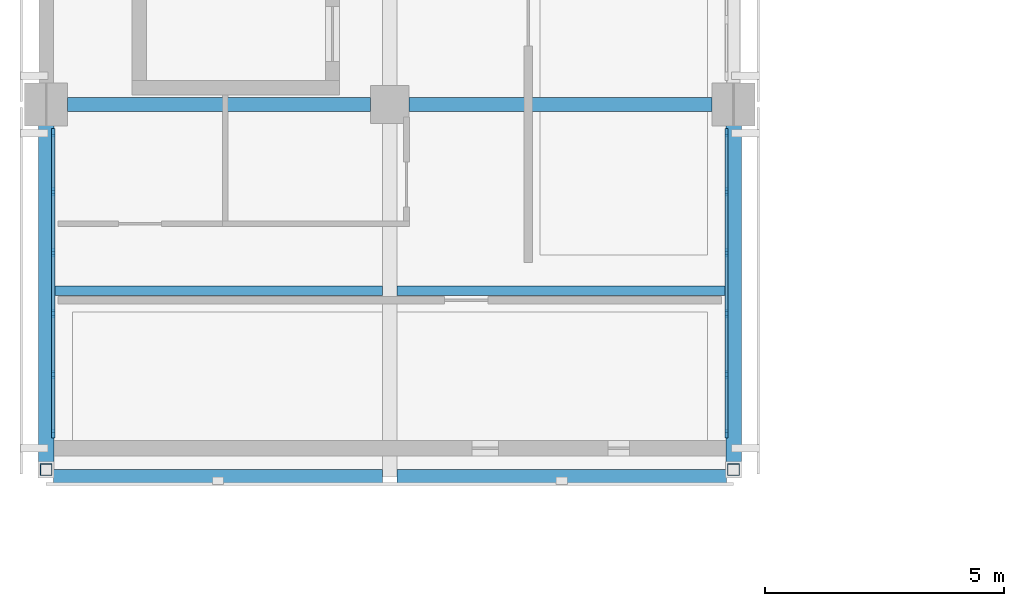
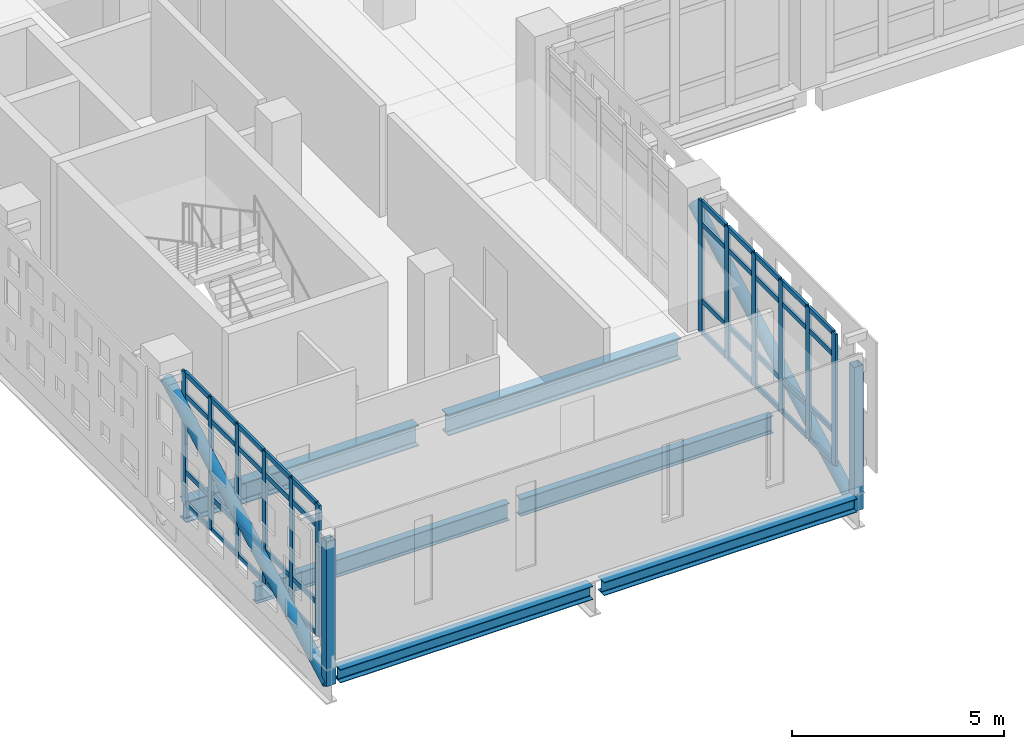
# One storey, part 4 of 57: 56 members, 6 beams, 2 elements without a shape of their own.
"""IFC4 building model written with IfcOpenShell, lengths in metres."""

from ifc_helpers import new_model, si_unit, direction, frame, origin, origin_2d, place, context, subcontext, project, spatial, rectangle, hollow_rectangle, hollow_circle, i_section, extrude, material, layer, layer_set, material_profile, profile_set, type_object, element, aggregate, save


model = new_model("IFC4")

# Units and contexts
model_context = context("Model", 3, precision=1e-05, world=origin(), true_north=direction((0.0, 1.0)))
body_context = subcontext(model_context, "Body", "Model", "MODEL_VIEW")
ifc_project = project(units=[si_unit("LENGTHUNIT", "METRE"), si_unit("AREAUNIT", "SQUARE_METRE"), si_unit("VOLUMEUNIT", "CUBIC_METRE"), si_unit("PLANEANGLEUNIT", "RADIAN"), si_unit("MASSUNIT", "GRAM", prefix="KILO")], contexts=[model_context])

# Site, building, storey
site_placement = place(None, origin())
site = spatial("IfcSite", under=ifc_project, at=site_placement, CompositionType="ELEMENT")
building_placement = place(site_placement, origin())
building = spatial("IfcBuilding", under=site, at=building_placement, Name="Valkovuoma Quantum and Materials Research Institute", CompositionType="ELEMENT")
storey_placement = place(building_placement, frame((0.0, 0.0, 4.800048828125)))
storey = spatial("IfcBuildingStorey", under=building, at=storey_placement, Name="L01", CompositionType="ELEMENT", Elevation=4.800048828125)

# Beams
ifc_material_1 = material(Name="Steel S355J2", Category="steel")
ifc_material_profile_1 = material_profile(ifc_material_1, i_section(OverallWidth=0.300048828125, OverallDepth=0.389892578125, WebThickness=0.010986328125, FlangeThickness=0.01904296875, FilletRadius=0.027099609375, at=origin_2d()), Name="Steel S355J2")
ifc_profile_set_1 = profile_set([ifc_material_profile_1], Name="Steel S355J2")
beam_type_1 = type_object("IfcBeamType", Name="Beam-B-HEA400", PredefinedType="SPANDREL", material=ifc_profile_set_1)
beam_1_placement = place(storey_placement, frame((0.14990234375, 21.0, -0.545166015625), z_axis=(1.0, 0.0, 0.0), x_axis=(0.0, 1.0, 0.0)))
element("IfcBeam", 1, at=beam_1_placement, inside=storey, type_object=beam_type_1, Name="L01 cantilever tip beam 1", PredefinedType="SPANDREL", context=body_context, shape_type="SweptSolid", body=[
    extrude(i_section(OverallWidth=0.300048828125, OverallDepth=0.389892578125, WebThickness=0.010986328125, FlangeThickness=0.01904296875, FilletRadius=0.027099609375, at=origin_2d()), origin(), (0.0, 0.0, 1.0), 6.900146484375),
])
beam_2_placement = place(storey_placement, frame((7.35009765625, 21.0, -0.545166015625), z_axis=(1.0, 0.0, 0.0), x_axis=(0.0, 1.0, 0.0)))
element("IfcBeam", 2, at=beam_2_placement, inside=storey, type_object=beam_type_1, Name="L01 cantilever tip beam 2", PredefinedType="SPANDREL", context=body_context, shape_type="SweptSolid", body=[
    extrude(i_section(OverallWidth=0.300048828125, OverallDepth=0.389892578125, WebThickness=0.010986328125, FlangeThickness=0.01904296875, FilletRadius=0.027099609375, at=origin_2d()), origin(), (0.0, 0.0, 1.0), 6.89990234375),
])
ifc_material_2 = material(Name="Steel S355J2", Category="steel")
ifc_material_profile_2 = material_profile(ifc_material_2, i_section(OverallWidth=0.300048828125, OverallDepth=0.60009765625, WebThickness=0.015380859375, FlangeThickness=0.030029296875, FilletRadius=0.027099609375, at=origin_2d()), Name="Steel S355J2")
ifc_profile_set_2 = profile_set([ifc_material_profile_2], Name="Steel S355J2")
beam_type_2 = type_object("IfcBeamType", Name="Beam-B-HEB600", PredefinedType="BEAM", material=ifc_profile_set_2)
beam_3_placement = place(storey_placement, frame((0.449951171875, 28.800048828125, -0.650146484375), z_axis=(1.0, 0.0, 0.0), x_axis=(0.0, 1.0, 0.0)))
element("IfcBeam", 3, at=beam_3_placement, inside=storey, type_object=beam_type_2, Name="L01 beam X-0556", PredefinedType="BEAM", context=body_context, shape_type="SweptSolid", body=[
    extrude(i_section(OverallWidth=0.300048828125, OverallDepth=0.60009765625, WebThickness=0.015380859375, FlangeThickness=0.030029296875, FilletRadius=0.027099609375, at=origin_2d()), origin(), (0.0, 0.0, 1.0), 6.35009765625),
])
beam_4_placement = place(storey_placement, frame((7.60009765625, 28.800048828125, -0.650146484375), z_axis=(1.0, 0.0, 0.0), x_axis=(0.0, 1.0, 0.0)))
element("IfcBeam", 4, at=beam_4_placement, inside=storey, type_object=beam_type_2, Name="L01 beam X-0557", PredefinedType="BEAM", context=body_context, shape_type="SweptSolid", body=[
    extrude(i_section(OverallWidth=0.300048828125, OverallDepth=0.60009765625, WebThickness=0.015380859375, FlangeThickness=0.030029296875, FilletRadius=0.027099609375, at=origin_2d()), origin(), (0.0, 0.0, 1.0), 6.349853515625),
])
ifc_material_3 = material(Name="Steel S355J2", Category="steel")
ifc_material_profile_3 = material_profile(ifc_material_3, i_section(OverallWidth=0.199951171875, OverallDepth=0.5, WebThickness=0.01025390625, FlangeThickness=0.01611328125, FilletRadius=0.02099609375, at=origin_2d()), Name="Steel S355J2")
ifc_profile_set_3 = profile_set([ifc_material_profile_3], Name="Steel S355J2")
beam_type_3 = type_object("IfcBeamType", Name="Beam-B-IPE500", PredefinedType="BEAM", material=ifc_profile_set_3)
beam_5_placement = place(storey_placement, frame((0.14990234375, 24.89990234375, -0.60009765625), z_axis=(1.0, 0.0, 0.0), x_axis=(0.0, 1.0, 0.0)))
element("IfcBeam", 5, at=beam_5_placement, inside=storey, type_object=beam_type_3, Name="L01 cantilever mid beam 1", PredefinedType="BEAM", context=body_context, shape_type="SweptSolid", body=[
    extrude(i_section(OverallWidth=0.199951171875, OverallDepth=0.5, WebThickness=0.01025390625, FlangeThickness=0.01611328125, FilletRadius=0.02099609375, at=origin_2d()), origin(), (0.0, 0.0, 1.0), 6.900146484375),
])
beam_6_placement = place(storey_placement, frame((7.35009765625, 24.89990234375, -0.60009765625), z_axis=(1.0, 0.0, 0.0), x_axis=(0.0, 1.0, 0.0)))
element("IfcBeam", 6, at=beam_6_placement, inside=storey, type_object=beam_type_3, Name="L01 cantilever mid beam 2", PredefinedType="BEAM", context=body_context, shape_type="SweptSolid", body=[
    extrude(i_section(OverallWidth=0.199951171875, OverallDepth=0.5, WebThickness=0.01025390625, FlangeThickness=0.01611328125, FilletRadius=0.02099609375, at=origin_2d()), origin(), (0.0, 0.0, 1.0), 6.89990234375),
])

# Curtain wall, members
ifc_material_4 = material(Name="Thermally broken aluminium and triple low-E glazing", Category="aluminium")
ifc_layer = layer(ifc_material_4, 0.219970703125)
ifc_layer_set = layer_set([ifc_layer], Name="Thermally broken aluminium and triple low-E glazing")
curtain_wall_type = type_object("IfcCurtainWallType", Name="CW-CW-01", PredefinedType="NOTDEFINED", material=ifc_layer_set)
curtain_wall_1_placement = place(storey_placement, origin())
curtain_wall_1 = element("IfcCurtainWall", 7, at=curtain_wall_1_placement, inside=storey, type_object=curtain_wall_type, Name="L01 curtain wall 008", PredefinedType="NOTDEFINED")
ifc_material_5 = material(Name="Anodised aluminium 6060-T66", Category="aluminium")
ifc_material_profile_4 = material_profile(ifc_material_5, rectangle(XDim=0.06494140625, YDim=0.179931640625, at=origin_2d()), Name="Anodised aluminium 6060-T66")
ifc_profile_set_4 = profile_set([ifc_material_profile_4], Name="Anodised aluminium 6060-T66")
member_type_1 = type_object("IfcMemberType", Name="CWMull-CWM-01", PredefinedType="MULLION", material=ifc_profile_set_4)
member_1_placement = place(storey_placement, frame((0.14990234375, 21.900390625, 0.0), z_axis=(0.0, 0.0, 1.0), x_axis=(-1.0, 0.0, 0.0)))
member_1 = element("IfcMember", 8, at=member_1_placement, type_object=member_type_1, Name="CW-01 mullion 1", PredefinedType="MULLION", context=body_context, shape_type="SweptSolid", body=[
    extrude(rectangle(XDim=0.06494140625, YDim=0.179931640625, at=origin_2d()), origin(), (0.0, 0.0, 1.0), 3.81005859375),
])
member_2_placement = place(storey_placement, frame((0.14990234375, 23.142822265625, 0.0), z_axis=(0.0, 0.0, 1.0), x_axis=(-1.0, 0.0, 0.0)))
member_2 = element("IfcMember", 9, at=member_2_placement, type_object=member_type_1, Name="CW-01 mullion 2", PredefinedType="MULLION", context=body_context, shape_type="SweptSolid", body=[
    extrude(rectangle(XDim=0.06494140625, YDim=0.179931640625, at=origin_2d()), origin(), (0.0, 0.0, 1.0), 3.81005859375),
])
member_3_placement = place(storey_placement, frame((0.14990234375, 24.41796875, 0.0), z_axis=(0.0, 0.0, 1.0), x_axis=(-1.0, 0.0, 0.0)))
member_3 = element("IfcMember", 10, at=member_3_placement, type_object=member_type_1, Name="CW-01 mullion 3", PredefinedType="MULLION", context=body_context, shape_type="SweptSolid", body=[
    extrude(rectangle(XDim=0.06494140625, YDim=0.179931640625, at=origin_2d()), origin(), (0.0, 0.0, 1.0), 3.81005859375),
])
member_4_placement = place(storey_placement, frame((0.14990234375, 25.69287109375, 0.0), z_axis=(0.0, 0.0, 1.0), x_axis=(-1.0, 0.0, 0.0)))
member_4 = element("IfcMember", 11, at=member_4_placement, type_object=member_type_1, Name="CW-01 mullion 4", PredefinedType="MULLION", context=body_context, shape_type="SweptSolid", body=[
    extrude(rectangle(XDim=0.06494140625, YDim=0.179931640625, at=origin_2d()), origin(), (0.0, 0.0, 1.0), 3.81005859375),
])
member_5_placement = place(storey_placement, frame((0.14990234375, 26.968017578125, 0.0), z_axis=(0.0, 0.0, 1.0), x_axis=(-1.0, 0.0, 0.0)))
member_5 = element("IfcMember", 12, at=member_5_placement, type_object=member_type_1, Name="CW-01 mullion 5", PredefinedType="MULLION", context=body_context, shape_type="SweptSolid", body=[
    extrude(rectangle(XDim=0.06494140625, YDim=0.179931640625, at=origin_2d()), origin(), (0.0, 0.0, 1.0), 3.81005859375),
])
member_6_placement = place(storey_placement, frame((0.14990234375, 28.21044921875, 0.0), z_axis=(0.0, 0.0, 1.0), x_axis=(-1.0, 0.0, 0.0)))
member_6 = element("IfcMember", 13, at=member_6_placement, type_object=member_type_1, Name="CW-01 mullion 6", PredefinedType="MULLION", context=body_context, shape_type="SweptSolid", body=[
    extrude(rectangle(XDim=0.06494140625, YDim=0.179931640625, at=origin_2d()), origin(), (0.0, 0.0, 1.0), 3.81005859375),
])

curtain_wall_2_placement = place(storey_placement, origin())
curtain_wall_2 = element("IfcCurtainWall", 14, at=curtain_wall_2_placement, inside=storey, type_object=curtain_wall_type, Name="L01 curtain wall 009", PredefinedType="NOTDEFINED")
member_7_placement = place(storey_placement, frame((14.25, 21.900390625, 0.0), z_axis=(0.0, 0.0, 1.0), x_axis=(-1.0, 0.0, 0.0)))
member_7 = element("IfcMember", 15, at=member_7_placement, type_object=member_type_1, Name="CW-01 mullion 1", PredefinedType="MULLION", context=body_context, shape_type="SweptSolid", body=[
    extrude(rectangle(XDim=0.06494140625, YDim=0.179931640625, at=origin_2d()), origin(), (0.0, 0.0, 1.0), 3.81005859375),
])
member_8_placement = place(storey_placement, frame((14.25, 23.142822265625, 0.0), z_axis=(0.0, 0.0, 1.0), x_axis=(-1.0, 0.0, 0.0)))
member_8 = element("IfcMember", 16, at=member_8_placement, type_object=member_type_1, Name="CW-01 mullion 2", PredefinedType="MULLION", context=body_context, shape_type="SweptSolid", body=[
    extrude(rectangle(XDim=0.06494140625, YDim=0.179931640625, at=origin_2d()), origin(), (0.0, 0.0, 1.0), 3.81005859375),
])
member_9_placement = place(storey_placement, frame((14.25, 24.41796875, 0.0), z_axis=(0.0, 0.0, 1.0), x_axis=(-1.0, 0.0, 0.0)))
member_9 = element("IfcMember", 17, at=member_9_placement, type_object=member_type_1, Name="CW-01 mullion 3", PredefinedType="MULLION", context=body_context, shape_type="SweptSolid", body=[
    extrude(rectangle(XDim=0.06494140625, YDim=0.179931640625, at=origin_2d()), origin(), (0.0, 0.0, 1.0), 3.81005859375),
])
member_10_placement = place(storey_placement, frame((14.25, 25.69287109375, 0.0), z_axis=(0.0, 0.0, 1.0), x_axis=(-1.0, 0.0, 0.0)))
member_10 = element("IfcMember", 18, at=member_10_placement, type_object=member_type_1, Name="CW-01 mullion 4", PredefinedType="MULLION", context=body_context, shape_type="SweptSolid", body=[
    extrude(rectangle(XDim=0.06494140625, YDim=0.179931640625, at=origin_2d()), origin(), (0.0, 0.0, 1.0), 3.81005859375),
])
member_11_placement = place(storey_placement, frame((14.25, 26.968017578125, 0.0), z_axis=(0.0, 0.0, 1.0), x_axis=(-1.0, 0.0, 0.0)))
member_11 = element("IfcMember", 19, at=member_11_placement, type_object=member_type_1, Name="CW-01 mullion 5", PredefinedType="MULLION", context=body_context, shape_type="SweptSolid", body=[
    extrude(rectangle(XDim=0.06494140625, YDim=0.179931640625, at=origin_2d()), origin(), (0.0, 0.0, 1.0), 3.81005859375),
])
member_12_placement = place(storey_placement, frame((14.25, 28.21044921875, 0.0), z_axis=(0.0, 0.0, 1.0), x_axis=(-1.0, 0.0, 0.0)))
member_12 = element("IfcMember", 20, at=member_12_placement, type_object=member_type_1, Name="CW-01 mullion 6", PredefinedType="MULLION", context=body_context, shape_type="SweptSolid", body=[
    extrude(rectangle(XDim=0.06494140625, YDim=0.179931640625, at=origin_2d()), origin(), (0.0, 0.0, 1.0), 3.81005859375),
])

# Member
ifc_material_6 = material(Name="Anodised aluminium 6060-T66", Category="aluminium")
ifc_material_profile_5 = material_profile(ifc_material_6, rectangle(XDim=0.06494140625, YDim=0.139892578125, at=origin_2d()), Name="Anodised aluminium 6060-T66")
ifc_profile_set_5 = profile_set([ifc_material_profile_5], Name="Anodised aluminium 6060-T66")
member_type_2 = type_object("IfcMemberType", Name="CWTran-CWT-01", PredefinedType="USERDEFINED", material=ifc_profile_set_5)
member_13_placement = place(storey_placement, frame((0.14990234375, 21.932861328125, 0.032470703125), z_axis=(0.0, 1.0, 0.0), x_axis=(-1.0, 0.0, 0.0)))
member_13 = element("IfcMember", 21, at=member_13_placement, type_object=member_type_2, Name="CW-01 transom 1.1", ObjectType="TRANSOM", PredefinedType="USERDEFINED", context=body_context, shape_type="SweptSolid", body=[
    extrude(rectangle(XDim=0.06494140625, YDim=0.139892578125, at=origin_2d()), origin(), (0.0, 0.0, 1.0), 1.177490234375),
])

member_14_placement = place(storey_placement, frame((0.14990234375, 21.932861328125, 0.949951171875), z_axis=(0.0, 1.0, 0.0), x_axis=(-1.0, 0.0, 0.0)))
member_14 = element("IfcMember", 22, at=member_14_placement, type_object=member_type_2, Name="CW-01 transom 1.2", ObjectType="TRANSOM", PredefinedType="USERDEFINED", context=body_context, shape_type="SweptSolid", body=[
    extrude(rectangle(XDim=0.06494140625, YDim=0.139892578125, at=origin_2d()), origin(), (0.0, 0.0, 1.0), 1.177490234375),
])

member_15_placement = place(storey_placement, frame((0.14990234375, 21.932861328125, 3.159912109375), z_axis=(0.0, 1.0, 0.0), x_axis=(-1.0, 0.0, 0.0)))
member_15 = element("IfcMember", 23, at=member_15_placement, type_object=member_type_2, Name="CW-01 transom 1.3", ObjectType="TRANSOM", PredefinedType="USERDEFINED", context=body_context, shape_type="SweptSolid", body=[
    extrude(rectangle(XDim=0.06494140625, YDim=0.139892578125, at=origin_2d()), origin(), (0.0, 0.0, 1.0), 1.177490234375),
])

member_16_placement = place(storey_placement, frame((0.14990234375, 21.932861328125, 3.77734375), z_axis=(0.0, 1.0, 0.0), x_axis=(-1.0, 0.0, 0.0)))
member_16 = element("IfcMember", 24, at=member_16_placement, type_object=member_type_2, Name="CW-01 transom 1.4", ObjectType="TRANSOM", PredefinedType="USERDEFINED", context=body_context, shape_type="SweptSolid", body=[
    extrude(rectangle(XDim=0.06494140625, YDim=0.139892578125, at=origin_2d()), origin(), (0.0, 0.0, 1.0), 1.177490234375),
])

member_17_placement = place(storey_placement, frame((0.14990234375, 23.17529296875, 0.032470703125), z_axis=(0.0, 1.0, 0.0), x_axis=(-1.0, 0.0, 0.0)))
member_17 = element("IfcMember", 25, at=member_17_placement, type_object=member_type_2, Name="CW-01 transom 2.1", ObjectType="TRANSOM", PredefinedType="USERDEFINED", context=body_context, shape_type="SweptSolid", body=[
    extrude(rectangle(XDim=0.06494140625, YDim=0.139892578125, at=origin_2d()), origin(), (0.0, 0.0, 1.0), 1.210205078125),
])

member_18_placement = place(storey_placement, frame((0.14990234375, 23.17529296875, 0.949951171875), z_axis=(0.0, 1.0, 0.0), x_axis=(-1.0, 0.0, 0.0)))
member_18 = element("IfcMember", 26, at=member_18_placement, type_object=member_type_2, Name="CW-01 transom 2.2", ObjectType="TRANSOM", PredefinedType="USERDEFINED", context=body_context, shape_type="SweptSolid", body=[
    extrude(rectangle(XDim=0.06494140625, YDim=0.139892578125, at=origin_2d()), origin(), (0.0, 0.0, 1.0), 1.210205078125),
])

member_19_placement = place(storey_placement, frame((0.14990234375, 23.17529296875, 3.159912109375), z_axis=(0.0, 1.0, 0.0), x_axis=(-1.0, 0.0, 0.0)))
member_19 = element("IfcMember", 27, at=member_19_placement, type_object=member_type_2, Name="CW-01 transom 2.3", ObjectType="TRANSOM", PredefinedType="USERDEFINED", context=body_context, shape_type="SweptSolid", body=[
    extrude(rectangle(XDim=0.06494140625, YDim=0.139892578125, at=origin_2d()), origin(), (0.0, 0.0, 1.0), 1.210205078125),
])

member_20_placement = place(storey_placement, frame((0.14990234375, 23.17529296875, 3.77734375), z_axis=(0.0, 1.0, 0.0), x_axis=(-1.0, 0.0, 0.0)))
member_20 = element("IfcMember", 28, at=member_20_placement, type_object=member_type_2, Name="CW-01 transom 2.4", ObjectType="TRANSOM", PredefinedType="USERDEFINED", context=body_context, shape_type="SweptSolid", body=[
    extrude(rectangle(XDim=0.06494140625, YDim=0.139892578125, at=origin_2d()), origin(), (0.0, 0.0, 1.0), 1.210205078125),
])

member_21_placement = place(storey_placement, frame((0.14990234375, 24.450439453125, 0.032470703125), z_axis=(0.0, 1.0, 0.0), x_axis=(-1.0, 0.0, 0.0)))
member_21 = element("IfcMember", 29, at=member_21_placement, type_object=member_type_2, Name="CW-01 transom 3.1", ObjectType="TRANSOM", PredefinedType="USERDEFINED", context=body_context, shape_type="SweptSolid", body=[
    extrude(rectangle(XDim=0.06494140625, YDim=0.139892578125, at=origin_2d()), origin(), (0.0, 0.0, 1.0), 1.2099609375),
])

member_22_placement = place(storey_placement, frame((0.14990234375, 24.450439453125, 0.949951171875), z_axis=(0.0, 1.0, 0.0), x_axis=(-1.0, 0.0, 0.0)))
member_22 = element("IfcMember", 30, at=member_22_placement, type_object=member_type_2, Name="CW-01 transom 3.2", ObjectType="TRANSOM", PredefinedType="USERDEFINED", context=body_context, shape_type="SweptSolid", body=[
    extrude(rectangle(XDim=0.06494140625, YDim=0.139892578125, at=origin_2d()), origin(), (0.0, 0.0, 1.0), 1.2099609375),
])

member_23_placement = place(storey_placement, frame((0.14990234375, 24.450439453125, 3.159912109375), z_axis=(0.0, 1.0, 0.0), x_axis=(-1.0, 0.0, 0.0)))
member_23 = element("IfcMember", 31, at=member_23_placement, type_object=member_type_2, Name="CW-01 transom 3.3", ObjectType="TRANSOM", PredefinedType="USERDEFINED", context=body_context, shape_type="SweptSolid", body=[
    extrude(rectangle(XDim=0.06494140625, YDim=0.139892578125, at=origin_2d()), origin(), (0.0, 0.0, 1.0), 1.2099609375),
])

member_24_placement = place(storey_placement, frame((0.14990234375, 24.450439453125, 3.77734375), z_axis=(0.0, 1.0, 0.0), x_axis=(-1.0, 0.0, 0.0)))
member_24 = element("IfcMember", 32, at=member_24_placement, type_object=member_type_2, Name="CW-01 transom 3.4", ObjectType="TRANSOM", PredefinedType="USERDEFINED", context=body_context, shape_type="SweptSolid", body=[
    extrude(rectangle(XDim=0.06494140625, YDim=0.139892578125, at=origin_2d()), origin(), (0.0, 0.0, 1.0), 1.2099609375),
])

member_25_placement = place(storey_placement, frame((0.14990234375, 25.725341796875, 0.032470703125), z_axis=(0.0, 1.0, 0.0), x_axis=(-1.0, 0.0, 0.0)))
member_25 = element("IfcMember", 33, at=member_25_placement, type_object=member_type_2, Name="CW-01 transom 4.1", ObjectType="TRANSOM", PredefinedType="USERDEFINED", context=body_context, shape_type="SweptSolid", body=[
    extrude(rectangle(XDim=0.06494140625, YDim=0.139892578125, at=origin_2d()), origin(), (0.0, 0.0, 1.0), 1.2099609375),
])

member_26_placement = place(storey_placement, frame((0.14990234375, 25.725341796875, 0.949951171875), z_axis=(0.0, 1.0, 0.0), x_axis=(-1.0, 0.0, 0.0)))
member_26 = element("IfcMember", 34, at=member_26_placement, type_object=member_type_2, Name="CW-01 transom 4.2", ObjectType="TRANSOM", PredefinedType="USERDEFINED", context=body_context, shape_type="SweptSolid", body=[
    extrude(rectangle(XDim=0.06494140625, YDim=0.139892578125, at=origin_2d()), origin(), (0.0, 0.0, 1.0), 1.2099609375),
])

member_27_placement = place(storey_placement, frame((0.14990234375, 25.725341796875, 3.159912109375), z_axis=(0.0, 1.0, 0.0), x_axis=(-1.0, 0.0, 0.0)))
member_27 = element("IfcMember", 35, at=member_27_placement, type_object=member_type_2, Name="CW-01 transom 4.3", ObjectType="TRANSOM", PredefinedType="USERDEFINED", context=body_context, shape_type="SweptSolid", body=[
    extrude(rectangle(XDim=0.06494140625, YDim=0.139892578125, at=origin_2d()), origin(), (0.0, 0.0, 1.0), 1.2099609375),
])

member_28_placement = place(storey_placement, frame((0.14990234375, 25.725341796875, 3.77734375), z_axis=(0.0, 1.0, 0.0), x_axis=(-1.0, 0.0, 0.0)))
member_28 = element("IfcMember", 36, at=member_28_placement, type_object=member_type_2, Name="CW-01 transom 4.4", ObjectType="TRANSOM", PredefinedType="USERDEFINED", context=body_context, shape_type="SweptSolid", body=[
    extrude(rectangle(XDim=0.06494140625, YDim=0.139892578125, at=origin_2d()), origin(), (0.0, 0.0, 1.0), 1.2099609375),
])

member_29_placement = place(storey_placement, frame((0.14990234375, 27.00048828125, 0.032470703125), z_axis=(0.0, 1.0, 0.0), x_axis=(-1.0, 0.0, 0.0)))
member_29 = element("IfcMember", 37, at=member_29_placement, type_object=member_type_2, Name="CW-01 transom 5.1", ObjectType="TRANSOM", PredefinedType="USERDEFINED", context=body_context, shape_type="SweptSolid", body=[
    extrude(rectangle(XDim=0.06494140625, YDim=0.139892578125, at=origin_2d()), origin(), (0.0, 0.0, 1.0), 1.177490234375),
])

member_30_placement = place(storey_placement, frame((0.14990234375, 27.00048828125, 0.949951171875), z_axis=(0.0, 1.0, 0.0), x_axis=(-1.0, 0.0, 0.0)))
member_30 = element("IfcMember", 38, at=member_30_placement, type_object=member_type_2, Name="CW-01 transom 5.2", ObjectType="TRANSOM", PredefinedType="USERDEFINED", context=body_context, shape_type="SweptSolid", body=[
    extrude(rectangle(XDim=0.06494140625, YDim=0.139892578125, at=origin_2d()), origin(), (0.0, 0.0, 1.0), 1.177490234375),
])

member_31_placement = place(storey_placement, frame((0.14990234375, 27.00048828125, 3.159912109375), z_axis=(0.0, 1.0, 0.0), x_axis=(-1.0, 0.0, 0.0)))
member_31 = element("IfcMember", 39, at=member_31_placement, type_object=member_type_2, Name="CW-01 transom 5.3", ObjectType="TRANSOM", PredefinedType="USERDEFINED", context=body_context, shape_type="SweptSolid", body=[
    extrude(rectangle(XDim=0.06494140625, YDim=0.139892578125, at=origin_2d()), origin(), (0.0, 0.0, 1.0), 1.177490234375),
])

member_32_placement = place(storey_placement, frame((0.14990234375, 27.00048828125, 3.77734375), z_axis=(0.0, 1.0, 0.0), x_axis=(-1.0, 0.0, 0.0)))
member_32 = element("IfcMember", 40, at=member_32_placement, type_object=member_type_2, Name="CW-01 transom 5.4", ObjectType="TRANSOM", PredefinedType="USERDEFINED", context=body_context, shape_type="SweptSolid", body=[
    extrude(rectangle(XDim=0.06494140625, YDim=0.139892578125, at=origin_2d()), origin(), (0.0, 0.0, 1.0), 1.177490234375),
])

aggregate(curtain_wall_1, [member_1, member_2, member_3, member_4, member_5, member_6, member_13, member_14, member_15, member_16, member_17, member_18, member_19, member_20, member_21, member_22, member_23, member_24, member_25, member_26, member_27, member_28, member_29, member_30, member_31, member_32])

member_33_placement = place(storey_placement, frame((14.25, 21.932861328125, 0.032470703125), z_axis=(0.0, 1.0, 0.0), x_axis=(-1.0, 0.0, 0.0)))
member_33 = element("IfcMember", 41, at=member_33_placement, type_object=member_type_2, Name="CW-01 transom 1.1", ObjectType="TRANSOM", PredefinedType="USERDEFINED", context=body_context, shape_type="SweptSolid", body=[
    extrude(rectangle(XDim=0.06494140625, YDim=0.139892578125, at=origin_2d()), origin(), (0.0, 0.0, 1.0), 1.177490234375),
])

member_34_placement = place(storey_placement, frame((14.25, 21.932861328125, 0.949951171875), z_axis=(0.0, 1.0, 0.0), x_axis=(-1.0, 0.0, 0.0)))
member_34 = element("IfcMember", 42, at=member_34_placement, type_object=member_type_2, Name="CW-01 transom 1.2", ObjectType="TRANSOM", PredefinedType="USERDEFINED", context=body_context, shape_type="SweptSolid", body=[
    extrude(rectangle(XDim=0.06494140625, YDim=0.139892578125, at=origin_2d()), origin(), (0.0, 0.0, 1.0), 1.177490234375),
])

member_35_placement = place(storey_placement, frame((14.25, 21.932861328125, 3.159912109375), z_axis=(0.0, 1.0, 0.0), x_axis=(-1.0, 0.0, 0.0)))
member_35 = element("IfcMember", 43, at=member_35_placement, type_object=member_type_2, Name="CW-01 transom 1.3", ObjectType="TRANSOM", PredefinedType="USERDEFINED", context=body_context, shape_type="SweptSolid", body=[
    extrude(rectangle(XDim=0.06494140625, YDim=0.139892578125, at=origin_2d()), origin(), (0.0, 0.0, 1.0), 1.177490234375),
])

member_36_placement = place(storey_placement, frame((14.25, 21.932861328125, 3.77734375), z_axis=(0.0, 1.0, 0.0), x_axis=(-1.0, 0.0, 0.0)))
member_36 = element("IfcMember", 44, at=member_36_placement, type_object=member_type_2, Name="CW-01 transom 1.4", ObjectType="TRANSOM", PredefinedType="USERDEFINED", context=body_context, shape_type="SweptSolid", body=[
    extrude(rectangle(XDim=0.06494140625, YDim=0.139892578125, at=origin_2d()), origin(), (0.0, 0.0, 1.0), 1.177490234375),
])

member_37_placement = place(storey_placement, frame((14.25, 23.17529296875, 0.032470703125), z_axis=(0.0, 1.0, 0.0), x_axis=(-1.0, 0.0, 0.0)))
member_37 = element("IfcMember", 45, at=member_37_placement, type_object=member_type_2, Name="CW-01 transom 2.1", ObjectType="TRANSOM", PredefinedType="USERDEFINED", context=body_context, shape_type="SweptSolid", body=[
    extrude(rectangle(XDim=0.06494140625, YDim=0.139892578125, at=origin_2d()), origin(), (0.0, 0.0, 1.0), 1.210205078125),
])

member_38_placement = place(storey_placement, frame((14.25, 23.17529296875, 0.949951171875), z_axis=(0.0, 1.0, 0.0), x_axis=(-1.0, 0.0, 0.0)))
member_38 = element("IfcMember", 46, at=member_38_placement, type_object=member_type_2, Name="CW-01 transom 2.2", ObjectType="TRANSOM", PredefinedType="USERDEFINED", context=body_context, shape_type="SweptSolid", body=[
    extrude(rectangle(XDim=0.06494140625, YDim=0.139892578125, at=origin_2d()), origin(), (0.0, 0.0, 1.0), 1.210205078125),
])

member_39_placement = place(storey_placement, frame((14.25, 23.17529296875, 3.159912109375), z_axis=(0.0, 1.0, 0.0), x_axis=(-1.0, 0.0, 0.0)))
member_39 = element("IfcMember", 47, at=member_39_placement, type_object=member_type_2, Name="CW-01 transom 2.3", ObjectType="TRANSOM", PredefinedType="USERDEFINED", context=body_context, shape_type="SweptSolid", body=[
    extrude(rectangle(XDim=0.06494140625, YDim=0.139892578125, at=origin_2d()), origin(), (0.0, 0.0, 1.0), 1.210205078125),
])

member_40_placement = place(storey_placement, frame((14.25, 23.17529296875, 3.77734375), z_axis=(0.0, 1.0, 0.0), x_axis=(-1.0, 0.0, 0.0)))
member_40 = element("IfcMember", 48, at=member_40_placement, type_object=member_type_2, Name="CW-01 transom 2.4", ObjectType="TRANSOM", PredefinedType="USERDEFINED", context=body_context, shape_type="SweptSolid", body=[
    extrude(rectangle(XDim=0.06494140625, YDim=0.139892578125, at=origin_2d()), origin(), (0.0, 0.0, 1.0), 1.210205078125),
])

member_41_placement = place(storey_placement, frame((14.25, 24.450439453125, 0.032470703125), z_axis=(0.0, 1.0, 0.0), x_axis=(-1.0, 0.0, 0.0)))
member_41 = element("IfcMember", 49, at=member_41_placement, type_object=member_type_2, Name="CW-01 transom 3.1", ObjectType="TRANSOM", PredefinedType="USERDEFINED", context=body_context, shape_type="SweptSolid", body=[
    extrude(rectangle(XDim=0.06494140625, YDim=0.139892578125, at=origin_2d()), origin(), (0.0, 0.0, 1.0), 1.2099609375),
])

member_42_placement = place(storey_placement, frame((14.25, 24.450439453125, 0.949951171875), z_axis=(0.0, 1.0, 0.0), x_axis=(-1.0, 0.0, 0.0)))
member_42 = element("IfcMember", 50, at=member_42_placement, type_object=member_type_2, Name="CW-01 transom 3.2", ObjectType="TRANSOM", PredefinedType="USERDEFINED", context=body_context, shape_type="SweptSolid", body=[
    extrude(rectangle(XDim=0.06494140625, YDim=0.139892578125, at=origin_2d()), origin(), (0.0, 0.0, 1.0), 1.2099609375),
])

member_43_placement = place(storey_placement, frame((14.25, 24.450439453125, 3.159912109375), z_axis=(0.0, 1.0, 0.0), x_axis=(-1.0, 0.0, 0.0)))
member_43 = element("IfcMember", 51, at=member_43_placement, type_object=member_type_2, Name="CW-01 transom 3.3", ObjectType="TRANSOM", PredefinedType="USERDEFINED", context=body_context, shape_type="SweptSolid", body=[
    extrude(rectangle(XDim=0.06494140625, YDim=0.139892578125, at=origin_2d()), origin(), (0.0, 0.0, 1.0), 1.2099609375),
])

member_44_placement = place(storey_placement, frame((14.25, 24.450439453125, 3.77734375), z_axis=(0.0, 1.0, 0.0), x_axis=(-1.0, 0.0, 0.0)))
member_44 = element("IfcMember", 52, at=member_44_placement, type_object=member_type_2, Name="CW-01 transom 3.4", ObjectType="TRANSOM", PredefinedType="USERDEFINED", context=body_context, shape_type="SweptSolid", body=[
    extrude(rectangle(XDim=0.06494140625, YDim=0.139892578125, at=origin_2d()), origin(), (0.0, 0.0, 1.0), 1.2099609375),
])

member_45_placement = place(storey_placement, frame((14.25, 25.725341796875, 0.032470703125), z_axis=(0.0, 1.0, 0.0), x_axis=(-1.0, 0.0, 0.0)))
member_45 = element("IfcMember", 53, at=member_45_placement, type_object=member_type_2, Name="CW-01 transom 4.1", ObjectType="TRANSOM", PredefinedType="USERDEFINED", context=body_context, shape_type="SweptSolid", body=[
    extrude(rectangle(XDim=0.06494140625, YDim=0.139892578125, at=origin_2d()), origin(), (0.0, 0.0, 1.0), 1.2099609375),
])

member_46_placement = place(storey_placement, frame((14.25, 25.725341796875, 0.949951171875), z_axis=(0.0, 1.0, 0.0), x_axis=(-1.0, 0.0, 0.0)))
member_46 = element("IfcMember", 54, at=member_46_placement, type_object=member_type_2, Name="CW-01 transom 4.2", ObjectType="TRANSOM", PredefinedType="USERDEFINED", context=body_context, shape_type="SweptSolid", body=[
    extrude(rectangle(XDim=0.06494140625, YDim=0.139892578125, at=origin_2d()), origin(), (0.0, 0.0, 1.0), 1.2099609375),
])

member_47_placement = place(storey_placement, frame((14.25, 25.725341796875, 3.159912109375), z_axis=(0.0, 1.0, 0.0), x_axis=(-1.0, 0.0, 0.0)))
member_47 = element("IfcMember", 55, at=member_47_placement, type_object=member_type_2, Name="CW-01 transom 4.3", ObjectType="TRANSOM", PredefinedType="USERDEFINED", context=body_context, shape_type="SweptSolid", body=[
    extrude(rectangle(XDim=0.06494140625, YDim=0.139892578125, at=origin_2d()), origin(), (0.0, 0.0, 1.0), 1.2099609375),
])

member_48_placement = place(storey_placement, frame((14.25, 25.725341796875, 3.77734375), z_axis=(0.0, 1.0, 0.0), x_axis=(-1.0, 0.0, 0.0)))
member_48 = element("IfcMember", 56, at=member_48_placement, type_object=member_type_2, Name="CW-01 transom 4.4", ObjectType="TRANSOM", PredefinedType="USERDEFINED", context=body_context, shape_type="SweptSolid", body=[
    extrude(rectangle(XDim=0.06494140625, YDim=0.139892578125, at=origin_2d()), origin(), (0.0, 0.0, 1.0), 1.2099609375),
])

member_49_placement = place(storey_placement, frame((14.25, 27.00048828125, 0.032470703125), z_axis=(0.0, 1.0, 0.0), x_axis=(-1.0, 0.0, 0.0)))
member_49 = element("IfcMember", 57, at=member_49_placement, type_object=member_type_2, Name="CW-01 transom 5.1", ObjectType="TRANSOM", PredefinedType="USERDEFINED", context=body_context, shape_type="SweptSolid", body=[
    extrude(rectangle(XDim=0.06494140625, YDim=0.139892578125, at=origin_2d()), origin(), (0.0, 0.0, 1.0), 1.177490234375),
])

member_50_placement = place(storey_placement, frame((14.25, 27.00048828125, 0.949951171875), z_axis=(0.0, 1.0, 0.0), x_axis=(-1.0, 0.0, 0.0)))
member_50 = element("IfcMember", 58, at=member_50_placement, type_object=member_type_2, Name="CW-01 transom 5.2", ObjectType="TRANSOM", PredefinedType="USERDEFINED", context=body_context, shape_type="SweptSolid", body=[
    extrude(rectangle(XDim=0.06494140625, YDim=0.139892578125, at=origin_2d()), origin(), (0.0, 0.0, 1.0), 1.177490234375),
])

member_51_placement = place(storey_placement, frame((14.25, 27.00048828125, 3.159912109375), z_axis=(0.0, 1.0, 0.0), x_axis=(-1.0, 0.0, 0.0)))
member_51 = element("IfcMember", 59, at=member_51_placement, type_object=member_type_2, Name="CW-01 transom 5.3", ObjectType="TRANSOM", PredefinedType="USERDEFINED", context=body_context, shape_type="SweptSolid", body=[
    extrude(rectangle(XDim=0.06494140625, YDim=0.139892578125, at=origin_2d()), origin(), (0.0, 0.0, 1.0), 1.177490234375),
])

member_52_placement = place(storey_placement, frame((14.25, 27.00048828125, 3.77734375), z_axis=(0.0, 1.0, 0.0), x_axis=(-1.0, 0.0, 0.0)))
member_52 = element("IfcMember", 60, at=member_52_placement, type_object=member_type_2, Name="CW-01 transom 5.4", ObjectType="TRANSOM", PredefinedType="USERDEFINED", context=body_context, shape_type="SweptSolid", body=[
    extrude(rectangle(XDim=0.06494140625, YDim=0.139892578125, at=origin_2d()), origin(), (0.0, 0.0, 1.0), 1.177490234375),
])

aggregate(curtain_wall_2, [member_7, member_8, member_9, member_10, member_11, member_12, member_33, member_34, member_35, member_36, member_37, member_38, member_39, member_40, member_41, member_42, member_43, member_44, member_45, member_46, member_47, member_48, member_49, member_50, member_51, member_52])

# Members
ifc_material_7 = material(Name="Steel S355J2H", Category="steel")
ifc_material_profile_6 = material_profile(ifc_material_7, hollow_circle(Radius=0.161865234375, WallThickness=0.01611328125, at=origin_2d()), Name="Steel S355J2H")
ifc_profile_set_6 = profile_set([ifc_material_profile_6], Name="Steel S355J2H")
member_type_3 = type_object("IfcMemberType", Name="Mem-M-BRC324", PredefinedType="BRACE", material=ifc_profile_set_6)
for number, where, z_axis, x_axis, name in (
    (61, (0.0, 21.14990234375, -0.85009765625), (0.0, 0.878505577707, 0.477732090127), (-1.0, 0.0, 0.0), "L01 cantilever overhang diagonal 0"),
    (62, (14.39990234375, 21.14990234375, -0.85009765625), (0.0, 0.878505577707, 0.477732090127), (-1.0, 0.0, 0.0), "L01 cantilever overhang diagonal 1"),
):
    element("IfcMember", number, at=place(storey_placement, frame(where, z_axis=z_axis, x_axis=x_axis)), inside=storey, type_object=member_type_3, Name=name, PredefinedType="BRACE", context=body_context, shape_type="SweptSolid", body=[
        extrude(hollow_circle(Radius=0.161865234375, WallThickness=0.01611328125, at=origin_2d()), origin(), (0.0, 0.0, 1.0), 8.708251953125),
    ])
ifc_material_8 = material(Name="Steel S355J2H", Category="steel")
ifc_material_profile_7 = material_profile(ifc_material_8, hollow_rectangle(XDim=0.25, YDim=0.25, WallThickness=0.012451171875, at=origin_2d()), Name="Steel S355J2H")
ifc_profile_set_7 = profile_set([ifc_material_profile_7], Name="Steel S355J2H")
member_type_4 = type_object("IfcMemberType", Name="Mem-M-STR250", PredefinedType="STRUT", material=ifc_profile_set_7)
for number, where, z_axis, x_axis, name in (
    (63, (0.0, 21.14990234375, -0.85009765625), (0.0, 0.0, 1.0), (1.0, 0.0, 0.0), "L01 cantilever tip strut 0"),
    (64, (14.39990234375, 21.14990234375, -0.85009765625), (0.0, 0.0, 1.0), (1.0, 0.0, 0.0), "L01 cantilever tip strut 1"),
):
    element("IfcMember", number, at=place(storey_placement, frame(where, z_axis=z_axis, x_axis=x_axis)), inside=storey, type_object=member_type_4, Name=name, PredefinedType="STRUT", context=body_context, shape_type="SweptSolid", body=[
        extrude(hollow_rectangle(XDim=0.25, YDim=0.25, WallThickness=0.012451171875, at=origin_2d()), origin(), (0.0, 0.0, 1.0), 4.16015625),
    ])

save(model, "model.ifc")
